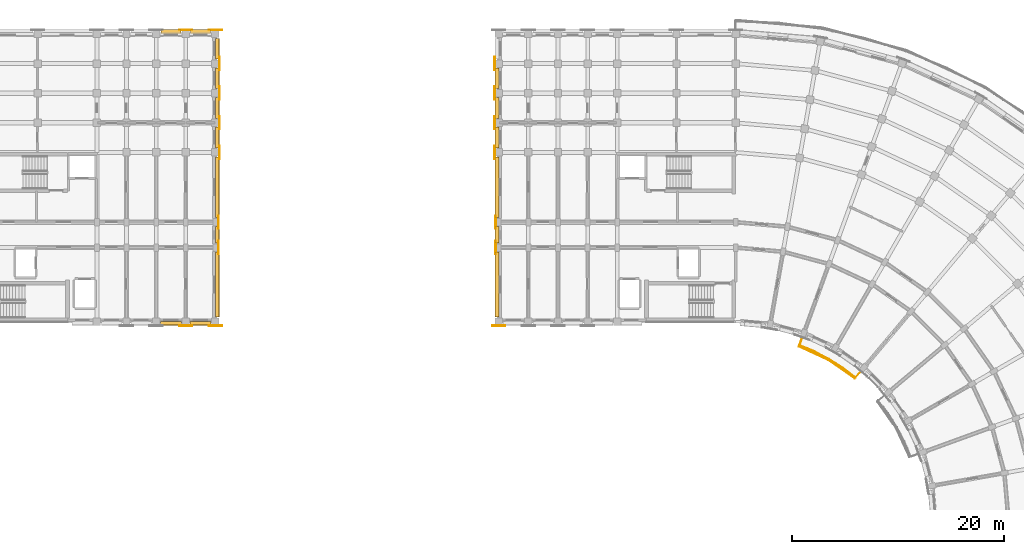
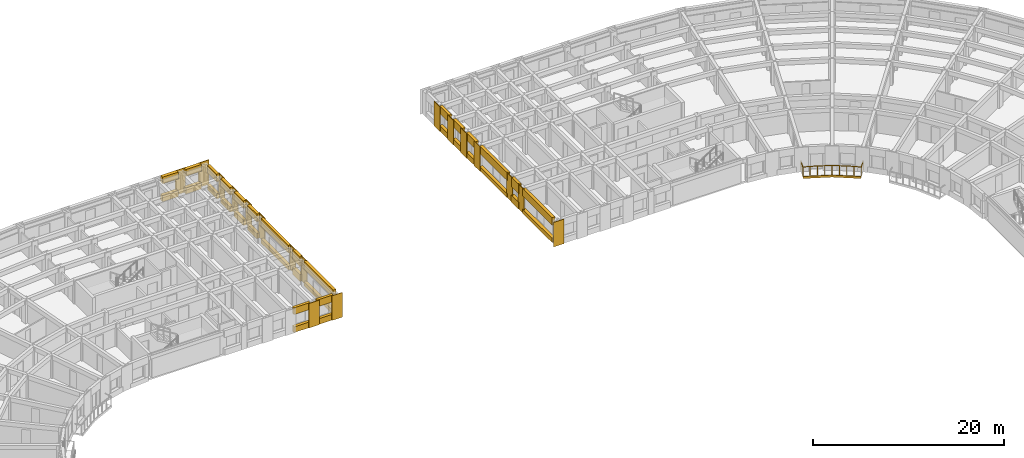
# One storey, part 51 of 57: 52 coverings, 1 railing.
"""IFC4 building model written with IfcOpenShell, lengths in metres."""

import ifcopenshell
import ifcopenshell.guid

model = None  # the IFC model being written
_history = None  # IfcOwnerHistory: only IFC2X3 demands one
_inside = {}  # id of a spatial element -> (the spatial element, [elements in it])
_under = {}  # id of a project, library or spatial element -> (it, [spatial elements below it])
_declared = {}  # id of a project -> (the project, [libraries it declares])
_typed = {}  # id of a type object -> (the type object, [elements of that type])
_made_of = {}  # id of a material, layer set ... -> (it, [elements and type objects made of it])


def new_model(schema):
    """Start an empty IFC model of exactly this schema.

    Asked for "IFC4X3", IfcOpenShell would pick the latest addendum, in which some entities
    have other attributes; the version numbers below select the first issue.
    IFC2X3 requires an IfcOwnerHistory on every rooted entity: one is made here for all.
    """
    global model, _history
    if schema == "IFC4X3":
        model = ifcopenshell.file(schema_version=(4, 3, 0, 0))
    else:
        model = ifcopenshell.file(schema=schema)
    _inside.clear()
    _under.clear()
    _declared.clear()
    _typed.clear()
    _made_of.clear()
    _history = None
    if model.schema == "IFC2X3":
        org = make("IfcOrganization", Name="unknown")
        user = make(
            "IfcPersonAndOrganization",
            ThePerson=make("IfcPerson", FamilyName="unknown"),
            TheOrganization=org,
        )
        app = make(
            "IfcApplication",
            ApplicationDeveloper=org,
            Version="unknown",
            ApplicationFullName="unknown",
            ApplicationIdentifier="unknown",
        )
        _history = make(
            "IfcOwnerHistory",
            OwningUser=user,
            OwningApplication=app,
            ChangeAction="ADDED",
            CreationDate=0,
        )
    return model


def make(cls, **values):
    """One entity of the class cls with the attributes given. An attribute that is None is left unset."""
    return model.create_entity(
        cls, **{name: value for name, value in values.items() if value is not None}
    )


def rooted(cls, **values):
    """An entity with a GlobalId (a new one), such as an element, a storey or a relation."""
    return make(cls, GlobalId=ifcopenshell.guid.new(), OwnerHistory=_history, **values)


def si_unit(unit_type, name, prefix=None):
    """IfcSIUnit, for example si_unit("LENGTHUNIT", "METRE", prefix="MILLI")."""
    return make("IfcSIUnit", UnitType=unit_type, Prefix=prefix, Name=name)


def assignment(units):
    """IfcUnitAssignment: the units of a project."""
    return None if units is None else make("IfcUnitAssignment", Units=units)


def point(xyz):
    """IfcCartesianPoint."""
    return None if xyz is None else make("IfcCartesianPoint", Coordinates=xyz)


def direction(xyz):
    """IfcDirection."""
    return None if xyz is None else make("IfcDirection", DirectionRatios=xyz)


def frame(location, z_axis=None, x_axis=None):
    """IfcAxis2Placement3D, a coordinate frame: its origin and axes. An axis left out is left unset."""
    return make(
        "IfcAxis2Placement3D",
        Location=point(location),
        Axis=direction(z_axis),
        RefDirection=direction(x_axis),
    )


def frame_2d(location, x_axis=None):
    """IfcAxis2Placement2D, a coordinate frame in the plane: its origin and x axis."""
    return make(
        "IfcAxis2Placement2D", Location=point(location), RefDirection=direction(x_axis)
    )


def origin():
    """The frame at (0, 0, 0) with its axes left unset."""
    return frame((0.0, 0.0, 0.0))


def origin_2d():
    """The frame at (0, 0) in the plane with its x axis left unset."""
    return frame_2d((0.0, 0.0))


def place(relative_to, where):
    """IfcLocalPlacement: puts the frame where relative to a parent placement (None: the world)."""
    return make(
        "IfcLocalPlacement", PlacementRelTo=relative_to, RelativePlacement=where
    )


def context(
    kind, dimensions, precision=None, world=None, true_north=None, identifier=None
):
    """IfcGeometricRepresentationContext, for example the 3D "Model" context."""
    return make(
        "IfcGeometricRepresentationContext",
        ContextIdentifier=identifier,
        ContextType=kind,
        CoordinateSpaceDimension=dimensions,
        Precision=precision,
        WorldCoordinateSystem=world,
        TrueNorth=true_north,
    )


def subcontext(parent, identifier, kind, view, scale=None):
    """IfcGeometricRepresentationSubContext, for example "Body" below "Model"."""
    return make(
        "IfcGeometricRepresentationSubContext",
        ContextIdentifier=identifier,
        ContextType=kind,
        ParentContext=parent,
        TargetScale=scale,
        TargetView=view,
    )


def project(units=None, contexts=None):
    """IfcProject with its units and contexts."""
    return rooted(
        "IfcProject",
        Name="project",
        RepresentationContexts=contexts,
        UnitsInContext=assignment(units),
    )


def spatial(cls, under=None, at=None, **own):
    """A site, building, storey or space (cls), placed at a placement, below another one or the project."""
    s = rooted(cls, ObjectPlacement=at, **own)
    if under is not None:
        _under.setdefault(under.id(), (under, []))[1].append(s)
    return s


def polyline(points):
    """IfcPolyline through the points."""
    return make("IfcPolyline", Points=[point(p) for p in points])


def profile(cls, at=None, kind="AREA", **sizes):
    """A parametric profile (cls). Its sizes go by their IFC names, for example OverallWidth=200.0."""
    return make(cls, ProfileType=kind, Position=at, **sizes)


def circle(**sizes):
    """IfcCircleProfileDef."""
    return profile("IfcCircleProfileDef", **sizes)


def outline(outer, holes=None, kind="AREA"):
    """IfcArbitraryClosedProfileDef: a profile drawn as a closed curve; with holes, ...WithVoids."""
    if holes is None:
        return make("IfcArbitraryClosedProfileDef", ProfileType=kind, OuterCurve=outer)
    return make(
        "IfcArbitraryProfileDefWithVoids",
        ProfileType=kind,
        OuterCurve=outer,
        InnerCurves=holes,
    )


def extrude(swept, where, along, depth):
    """IfcExtrudedAreaSolid: the profile swept, set in the frame where, extruded along a direction by depth."""
    return make(
        "IfcExtrudedAreaSolid",
        SweptArea=swept,
        Position=where,
        ExtrudedDirection=direction(along),
        Depth=depth,
    )


def shape(context_of_items, identifier, shape_type, items):
    """IfcShapeRepresentation: the items that make up one representation, for example the "Body"."""
    return make(
        "IfcShapeRepresentation",
        ContextOfItems=context_of_items,
        RepresentationIdentifier=identifier,
        RepresentationType=shape_type,
        Items=items,
    )


def material(Name=None, Category=None):
    """IfcMaterial."""
    return make("IfcMaterial", Name=Name, Category=Category)


def layer(
    of_material, thickness, ventilated=None, Name=None, Category=None, Priority=None
):
    """IfcMaterialLayer: one layer of a wall or slab, of a material (None: an air gap)."""
    return make(
        "IfcMaterialLayer",
        Material=of_material,
        LayerThickness=thickness,
        IsVentilated=ventilated,
        Name=Name,
        Category=Category,
        Priority=Priority,
    )


def layer_set(layers, Name=None):
    """IfcMaterialLayerSet."""
    return make("IfcMaterialLayerSet", MaterialLayers=layers, LayerSetName=Name)


def made_of(thing, what):
    """Note that an element or type object is made of a material, layer set ...; save() writes the relation."""
    if what is not None:
        _made_of.setdefault(what.id(), (what, []))[1].append(thing)
    return thing


def type_object(cls, material=None, **own):
    """A type object (cls), such as IfcWallType, which elements share."""
    return made_of(rooted(cls, **own), material)


def element(
    cls,
    number,
    at=None,
    inside=None,
    cuts=None,
    type_object=None,
    material=None,
    context=None,
    identifier="Body",
    shape_type=None,
    held_by="IfcProductDefinitionShape",
    body=None,
    shapes=None,
    **own,
):
    """One element of the class cls, such as IfcWall. Its Tag is "e" and its number.

    at: its placement. inside: the storey or other place that contains it. cuts: it is an
    opening in that element (IfcRelVoidsElement). A single representation is given by context,
    identifier, shape_type and body (its items); several are given by shapes. held_by: the class
    of the entity that holds the representations. save() writes the other relations.
    """
    e = rooted(cls, Tag="e%d" % number, ObjectPlacement=at, **own)
    if body is not None:
        shapes = [shape(context, identifier, shape_type, body)]
    if shapes is not None:
        e.Representation = make(held_by, Representations=shapes)
    if inside is not None:
        _inside.setdefault(inside.id(), (inside, []))[1].append(e)
    if cuts is not None:
        rooted(
            "IfcRelVoidsElement", RelatingBuildingElement=cuts, RelatedOpeningElement=e
        )
    if type_object is not None:
        _typed.setdefault(type_object.id(), (type_object, []))[1].append(e)
    return made_of(e, material)


def aggregate(whole, parts):
    """IfcRelAggregates: a whole, such as a stair, and the parts it consists of."""
    return rooted("IfcRelAggregates", RelatingObject=whole, RelatedObjects=parts)


def save(model, path):
    """Write the relations noted so far, then the file.

    IfcRelAggregates (storeys below a building ...), IfcRelContainedInSpatialStructure (elements
    in a storey), IfcRelDefinesByType, IfcRelAssociatesMaterial and IfcRelDeclares: one each for
    every whole, place, type object, material and project.
    """
    for whole, parts in _under.values():
        aggregate(whole, parts)
    for where, things in _inside.values():
        rooted(
            "IfcRelContainedInSpatialStructure",
            RelatedElements=things,
            RelatingStructure=where,
        )
    for kind, things in _typed.values():
        rooted("IfcRelDefinesByType", RelatedObjects=things, RelatingType=kind)
    for what, things in _made_of.values():
        rooted("IfcRelAssociatesMaterial", RelatedObjects=things, RelatingMaterial=what)
    for by, libraries in _declared.values():
        rooted("IfcRelDeclares", RelatingContext=by, RelatedDefinitions=libraries)
    model.write(path)


model = new_model("IFC4")

# Units and contexts
model_context = context("Model", 3, precision=1e-05, world=origin(), true_north=direction((0.0, 1.0)))
body_context = subcontext(model_context, "Body", "Model", "MODEL_VIEW")
ifc_project = project(units=[si_unit("LENGTHUNIT", "METRE"), si_unit("AREAUNIT", "SQUARE_METRE"), si_unit("VOLUMEUNIT", "CUBIC_METRE"), si_unit("PLANEANGLEUNIT", "RADIAN"), si_unit("MASSUNIT", "GRAM", prefix="KILO")], contexts=[model_context])

# Site, building, storey
site_placement = place(None, origin())
site = spatial("IfcSite", under=ifc_project, at=site_placement, CompositionType="ELEMENT")
building_placement = place(site_placement, origin())
building = spatial("IfcBuilding", under=site, at=building_placement, Name="Kiranvali Square Residences", CompositionType="ELEMENT")
storey_placement = place(building_placement, frame((0.0, 0.0, 24.449951171875)))
storey = spatial("IfcBuildingStorey", under=building, at=storey_placement, Name="L07", CompositionType="ELEMENT", Elevation=24.449951171875)

# Coverings
ifc_material_1 = material(Name="Carved Porbandar limestone classical entablature and cornice", Category="masonry")
ifc_layer_1 = layer(ifc_material_1, 0.06201171875)
ifc_layer_set_1 = layer_set([ifc_layer_1], Name="Carved Porbandar limestone classical entablature and cornice")
covering_type_1 = type_object("IfcCoveringType", Name="COV-CLAD-GBAL", PredefinedType="CLADDING", material=ifc_layer_set_1)
covering_1_placement = place(storey_placement, frame((0.0, 0.0, -0.219970703125)))
element("IfcCovering", 1, at=covering_1_placement, inside=storey, type_object=covering_type_1, Name="Block B L07 garden balcony limestone fascia 1", PredefinedType="CLADDING", context=body_context, shape_type="SweptSolid", body=[
    extrude(outline(polyline([(125.778564453125, 104.225830078125), (128.5400390625, 102.938232421875), (131.035888671875, 101.1904296875), (131.07958984375, 101.242431640625), (128.573974609375, 102.9970703125), (125.8017578125, 104.289794921875), (125.778564453125, 104.225830078125)])), origin(), (0.0, 0.0, 1.0), 0.27001953125),
])
ifc_material_2 = material(Name="Honed Porbandar limestone ashlar facade cladding", Category="masonry")
ifc_layer_2 = layer(ifc_material_2, 0.06494140625)
ifc_layer_set_2 = layer_set([ifc_layer_2], Name="Honed Porbandar limestone ashlar facade cladding")
covering_type_2 = type_object("IfcCoveringType", Name="COV-CLAD-PIER", PredefinedType="CLADDING", material=ifc_layer_set_2)
covering_2_placement = place(storey_placement, frame((0.0, 0.0, 0.005126953125)))
element("IfcCovering", 2, at=covering_2_placement, inside=storey, type_object=covering_type_2, Name="L07 Classical limestone pilaster casing CLAD-PR-A-L07-U195", PredefinedType="CLADDING", context=body_context, shape_type="SweptSolid", body=[
    extrude(outline(polyline([(67.169921875, 134.150390625), (68.429931640625, 134.150390625), (68.429931640625, 134.218017578125), (67.169921875, 134.218017578125), (67.169921875, 134.150390625)])), origin(), (0.0, 0.0, 1.0), 3.139892578125),
])
covering_3_placement = place(storey_placement, frame((0.0, 0.0, 0.005126953125)))
element("IfcCovering", 3, at=covering_3_placement, inside=storey, type_object=covering_type_2, Name="L07 Classical limestone pilaster casing CLAD-PR-A-L07-U224", PredefinedType="CLADDING", context=body_context, shape_type="SweptSolid", body=[
    extrude(outline(polyline([(69.969970703125, 134.150390625), (71.22998046875, 134.150390625), (71.22998046875, 134.218017578125), (69.969970703125, 134.218017578125), (69.969970703125, 134.150390625)])), origin(), (0.0, 0.0, 1.0), 3.139892578125),
])
ifc_layer_3 = layer(ifc_material_2, 0.050048828125)
ifc_layer_set_3 = layer_set([ifc_layer_3], Name="Honed Porbandar limestone ashlar facade cladding")
covering_type_3 = type_object("IfcCoveringType", Name="COV-CLAD-PIER-IN", PredefinedType="CLADDING", material=ifc_layer_set_3)
covering_4_placement = place(storey_placement, frame((0.0, 0.0, 0.005126953125)))
element("IfcCovering", 4, at=covering_4_placement, inside=storey, type_object=covering_type_3, Name="L07 Classical limestone pilaster casing CLAD-PRA1I-A-L07-U195", PredefinedType="CLADDING", context=body_context, shape_type="SweptSolid", body=[
    extrude(outline(polyline([(67.169921875, 106.181884765625), (68.429931640625, 106.181884765625), (68.429931640625, 106.24951171875), (67.169921875, 106.24951171875), (67.169921875, 106.181884765625)])), origin(), (0.0, 0.0, 1.0), 3.139892578125),
])
covering_5_placement = place(storey_placement, frame((0.0, 0.0, 0.005126953125)))
element("IfcCovering", 5, at=covering_5_placement, inside=storey, type_object=covering_type_3, Name="L07 Classical limestone pilaster casing CLAD-PRA1I-A-L07-U224", PredefinedType="CLADDING", context=body_context, shape_type="SweptSolid", body=[
    extrude(outline(polyline([(69.969970703125, 106.181884765625), (71.22998046875, 106.181884765625), (71.22998046875, 106.24951171875), (69.969970703125, 106.24951171875), (69.969970703125, 106.181884765625)])), origin(), (0.0, 0.0, 1.0), 3.139892578125),
])
covering_6_placement = place(storey_placement, frame((0.0, 0.0, 0.005126953125)))
element("IfcCovering", 6, at=covering_6_placement, inside=storey, type_object=covering_type_3, Name="L07 Classical limestone pilaster casing CLAD-PRA1I-B-L07-U224", PredefinedType="CLADDING", context=body_context, shape_type="SweptSolid", body=[
    extrude(outline(polyline([(98.030029296875, 106.24951171875), (96.77001953125, 106.24951171875), (96.77001953125, 106.181884765625), (98.030029296875, 106.181884765625), (98.030029296875, 106.24951171875)])), origin(), (0.0, 0.0, 1.0), 3.139892578125),
])
ifc_layer_4 = layer(ifc_material_2, 0.054931640625)
ifc_layer_set_4 = layer_set([ifc_layer_4], Name="Honed Porbandar limestone ashlar facade cladding")
covering_type_4 = type_object("IfcCoveringType", Name="COV-CLAD-PIER-UP", PredefinedType="CLADDING", material=ifc_layer_set_4)
covering_7_placement = place(storey_placement, frame((0.0, 0.0, 0.005126953125)))
element("IfcCovering", 7, at=covering_7_placement, inside=storey, type_object=covering_type_4, Name="L07 Classical limestone pilaster casing CLAD-PRA1E-A-L07-R258", PredefinedType="CLADDING", context=body_context, shape_type="SweptSolid", body=[
    extrude(outline(polyline([(70.91796875, 112.969970703125), (70.91796875, 114.22998046875), (70.8505859375, 114.22998046875), (70.8505859375, 112.969970703125), (70.91796875, 112.969970703125)])), origin(), (0.0, 0.0, 1.0), 3.139892578125),
])
covering_8_placement = place(storey_placement, frame((0.0, 0.0, 0.005126953125)))
element("IfcCovering", 8, at=covering_8_placement, inside=storey, type_object=covering_type_4, Name="L07 Classical limestone pilaster casing CLAD-PRA1E-A-L07-R282", PredefinedType="CLADDING", context=body_context, shape_type="SweptSolid", body=[
    extrude(outline(polyline([(70.91796875, 115.3701171875), (70.91796875, 116.6298828125), (70.8505859375, 116.6298828125), (70.8505859375, 115.3701171875), (70.91796875, 115.3701171875)])), origin(), (0.0, 0.0, 1.0), 3.139892578125),
])
covering_9_placement = place(storey_placement, frame((0.0, 0.0, 0.005126953125)))
element("IfcCovering", 9, at=covering_9_placement, inside=storey, type_object=covering_type_4, Name="L07 Classical limestone pilaster casing CLAD-PRA1E-A-L07-R348", PredefinedType="CLADDING", context=body_context, shape_type="SweptSolid", body=[
    extrude(outline(polyline([(71.01806640625, 121.969970703125), (71.01806640625, 123.22998046875), (70.950439453125, 123.22998046875), (70.950439453125, 121.969970703125), (71.01806640625, 121.969970703125)])), origin(), (0.0, 0.0, 1.0), 3.139892578125),
])
covering_10_placement = place(storey_placement, frame((0.0, 0.0, 0.005126953125)))
element("IfcCovering", 10, at=covering_10_placement, inside=storey, type_object=covering_type_4, Name="L07 Classical limestone pilaster casing CLAD-PRA1E-A-L07-R376", PredefinedType="CLADDING", context=body_context, shape_type="SweptSolid", body=[
    extrude(outline(polyline([(71.01806640625, 124.77001953125), (71.01806640625, 126.030029296875), (70.950439453125, 126.030029296875), (70.950439453125, 124.77001953125), (71.01806640625, 124.77001953125)])), origin(), (0.0, 0.0, 1.0), 3.139892578125),
])
covering_11_placement = place(storey_placement, frame((0.0, 0.0, 0.005126953125)))
element("IfcCovering", 11, at=covering_11_placement, inside=storey, type_object=covering_type_4, Name="L07 Classical limestone pilaster casing CLAD-PRA1E-A-L07-R404", PredefinedType="CLADDING", context=body_context, shape_type="SweptSolid", body=[
    extrude(outline(polyline([(71.01806640625, 127.570068359375), (71.01806640625, 128.830078125), (70.950439453125, 128.830078125), (70.950439453125, 127.570068359375), (71.01806640625, 127.570068359375)])), origin(), (0.0, 0.0, 1.0), 3.139892578125),
])
covering_12_placement = place(storey_placement, frame((0.0, 0.0, 0.005126953125)))
element("IfcCovering", 12, at=covering_12_placement, inside=storey, type_object=covering_type_4, Name="L07 Classical limestone pilaster casing CLAD-PRA1E-A-L07-R432", PredefinedType="CLADDING", context=body_context, shape_type="SweptSolid", body=[
    extrude(outline(polyline([(71.01806640625, 130.3701171875), (71.01806640625, 131.6298828125), (70.950439453125, 131.6298828125), (70.950439453125, 130.3701171875), (71.01806640625, 130.3701171875)])), origin(), (0.0, 0.0, 1.0), 3.139892578125),
])
covering_13_placement = place(storey_placement, frame((0.0, 0.0, 0.005126953125)))
element("IfcCovering", 13, at=covering_13_placement, inside=storey, type_object=covering_type_4, Name="L07 Classical limestone pilaster casing CLAD-PRA1E-B-L07-R258", PredefinedType="CLADDING", context=body_context, shape_type="SweptSolid", body=[
    extrude(outline(polyline([(97.1494140625, 112.969970703125), (97.1494140625, 114.22998046875), (97.08203125, 114.22998046875), (97.08203125, 112.969970703125), (97.1494140625, 112.969970703125)])), origin(), (0.0, 0.0, 1.0), 3.139892578125),
])
covering_14_placement = place(storey_placement, frame((0.0, 0.0, 0.005126953125)))
element("IfcCovering", 14, at=covering_14_placement, inside=storey, type_object=covering_type_4, Name="L07 Classical limestone pilaster casing CLAD-PRA1E-B-L07-R282", PredefinedType="CLADDING", context=body_context, shape_type="SweptSolid", body=[
    extrude(outline(polyline([(97.1494140625, 115.3701171875), (97.1494140625, 116.6298828125), (97.08203125, 116.6298828125), (97.08203125, 115.3701171875), (97.1494140625, 115.3701171875)])), origin(), (0.0, 0.0, 1.0), 3.139892578125),
])
covering_15_placement = place(storey_placement, frame((0.0, 0.0, 0.005126953125)))
element("IfcCovering", 15, at=covering_15_placement, inside=storey, type_object=covering_type_4, Name="L07 Classical limestone pilaster casing CLAD-PRA1E-B-L07-R348", PredefinedType="CLADDING", context=body_context, shape_type="SweptSolid", body=[
    extrude(outline(polyline([(97.049560546875, 121.969970703125), (97.049560546875, 123.22998046875), (96.98193359375, 123.22998046875), (96.98193359375, 121.969970703125), (97.049560546875, 121.969970703125)])), origin(), (0.0, 0.0, 1.0), 3.139892578125),
])
covering_16_placement = place(storey_placement, frame((0.0, 0.0, 0.005126953125)))
element("IfcCovering", 16, at=covering_16_placement, inside=storey, type_object=covering_type_4, Name="L07 Classical limestone pilaster casing CLAD-PRA1E-B-L07-R376", PredefinedType="CLADDING", context=body_context, shape_type="SweptSolid", body=[
    extrude(outline(polyline([(97.049560546875, 124.77001953125), (97.049560546875, 126.030029296875), (96.98193359375, 126.030029296875), (96.98193359375, 124.77001953125), (97.049560546875, 124.77001953125)])), origin(), (0.0, 0.0, 1.0), 3.139892578125),
])
covering_17_placement = place(storey_placement, frame((0.0, 0.0, 0.005126953125)))
element("IfcCovering", 17, at=covering_17_placement, inside=storey, type_object=covering_type_4, Name="L07 Classical limestone pilaster casing CLAD-PRA1E-B-L07-R404", PredefinedType="CLADDING", context=body_context, shape_type="SweptSolid", body=[
    extrude(outline(polyline([(97.049560546875, 127.570068359375), (97.049560546875, 128.830078125), (96.98193359375, 128.830078125), (96.98193359375, 127.570068359375), (97.049560546875, 127.570068359375)])), origin(), (0.0, 0.0, 1.0), 3.139892578125),
])
covering_18_placement = place(storey_placement, frame((0.0, 0.0, 0.005126953125)))
element("IfcCovering", 18, at=covering_18_placement, inside=storey, type_object=covering_type_4, Name="L07 Classical limestone pilaster casing CLAD-PRA1E-B-L07-R432", PredefinedType="CLADDING", context=body_context, shape_type="SweptSolid", body=[
    extrude(outline(polyline([(97.049560546875, 130.3701171875), (97.049560546875, 131.6298828125), (96.98193359375, 131.6298828125), (96.98193359375, 130.3701171875), (97.049560546875, 130.3701171875)])), origin(), (0.0, 0.0, 1.0), 3.139892578125),
])
ifc_layer_5 = layer(ifc_material_2, 0.360107421875)
ifc_layer_set_5 = layer_set([ifc_layer_5], Name="Honed Porbandar limestone ashlar facade cladding")
covering_type_5 = type_object("IfcCoveringType", Name="COV-CLAD-WALL", PredefinedType="CLADDING", material=ifc_layer_set_5)
covering_19_placement = place(storey_placement, frame((0.0, 0.0, 2.27197265625)))
element("IfcCovering", 19, at=covering_19_placement, inside=storey, type_object=covering_type_5, Name="L07 light limestone spandrel lintel A-L07-A1O-4", PredefinedType="CLADDING", context=body_context, shape_type="SweptSolid", body=[
    extrude(outline(polyline([(65.43994140625, 133.800537109375), (67.360107421875, 133.800537109375), (67.360107421875, 134.199951171875), (65.43994140625, 134.199951171875), (65.43994140625, 133.800537109375)])), origin(), (0.0, 0.0, 1.0), 0.873046875),
])
covering_20_placement = place(storey_placement, frame((0.0, 0.0, 0.005126953125)))
element("IfcCovering", 20, at=covering_20_placement, inside=storey, type_object=covering_type_5, Name="L07 limestone window sill apron A-L07-A1O-4", PredefinedType="CLADDING", context=body_context, shape_type="SweptSolid", body=[
    extrude(outline(polyline([(65.43994140625, 133.800537109375), (67.360107421875, 133.800537109375), (67.360107421875, 134.22998046875), (65.43994140625, 134.22998046875), (65.43994140625, 133.800537109375)])), origin(), (0.0, 0.0, 1.0), 0.766845703125),
])
covering_21_placement = place(storey_placement, frame((0.0, 0.0, 2.27197265625)))
element("IfcCovering", 21, at=covering_21_placement, inside=storey, type_object=covering_type_5, Name="L07 light limestone spandrel lintel A-L07-A1O-5", PredefinedType="CLADDING", context=body_context, shape_type="SweptSolid", body=[
    extrude(outline(polyline([(68.239990234375, 133.800537109375), (70.159912109375, 133.800537109375), (70.159912109375, 134.199951171875), (68.239990234375, 134.199951171875), (68.239990234375, 133.800537109375)])), origin(), (0.0, 0.0, 1.0), 0.873046875),
])
covering_22_placement = place(storey_placement, frame((0.0, 0.0, 0.005126953125)))
element("IfcCovering", 22, at=covering_22_placement, inside=storey, type_object=covering_type_5, Name="L07 limestone window sill apron A-L07-A1O-5", PredefinedType="CLADDING", context=body_context, shape_type="SweptSolid", body=[
    extrude(outline(polyline([(68.239990234375, 133.800537109375), (70.159912109375, 133.800537109375), (70.159912109375, 134.22998046875), (68.239990234375, 134.22998046875), (68.239990234375, 133.800537109375)])), origin(), (0.0, 0.0, 1.0), 0.766845703125),
])
covering_23_placement = place(storey_placement, frame((0.0, 0.0, 2.27197265625)))
element("IfcCovering", 23, at=covering_23_placement, inside=storey, type_object=covering_type_5, Name="L07 light limestone spandrel lintel A-L07-A1I-2", PredefinedType="CLADDING", context=body_context, shape_type="SweptSolid", body=[
    extrude(outline(polyline([(65.419921875, 106.280029296875), (67.3798828125, 106.280029296875), (67.3798828125, 106.599609375), (65.419921875, 106.599609375), (65.419921875, 106.280029296875)])), origin(), (0.0, 0.0, 1.0), 0.873046875),
])
covering_24_placement = place(storey_placement, frame((0.0, 0.0, 0.005126953125)))
element("IfcCovering", 24, at=covering_24_placement, inside=storey, type_object=covering_type_5, Name="L07 limestone window sill apron A-L07-A1I-2", PredefinedType="CLADDING", context=body_context, shape_type="SweptSolid", body=[
    extrude(outline(polyline([(65.419921875, 106.25), (67.3798828125, 106.25), (67.3798828125, 106.599609375), (65.419921875, 106.599609375), (65.419921875, 106.25)])), origin(), (0.0, 0.0, 1.0), 0.717041015625),
])
covering_25_placement = place(storey_placement, frame((0.0, 0.0, 2.27197265625)))
element("IfcCovering", 25, at=covering_25_placement, inside=storey, type_object=covering_type_5, Name="L07 light limestone spandrel lintel A-L07-A1I-3", PredefinedType="CLADDING", context=body_context, shape_type="SweptSolid", body=[
    extrude(outline(polyline([(68.219970703125, 106.280029296875), (70.179931640625, 106.280029296875), (70.179931640625, 106.599609375), (68.219970703125, 106.599609375), (68.219970703125, 106.280029296875)])), origin(), (0.0, 0.0, 1.0), 0.873046875),
])
covering_26_placement = place(storey_placement, frame((0.0, 0.0, 0.005126953125)))
element("IfcCovering", 26, at=covering_26_placement, inside=storey, type_object=covering_type_5, Name="L07 limestone window sill apron A-L07-A1I-3", PredefinedType="CLADDING", context=body_context, shape_type="SweptSolid", body=[
    extrude(outline(polyline([(68.219970703125, 106.25), (70.179931640625, 106.25), (70.179931640625, 106.599609375), (68.219970703125, 106.599609375), (68.219970703125, 106.25)])), origin(), (0.0, 0.0, 1.0), 0.717041015625),
])
covering_27_placement = place(storey_placement, frame((0.0, 0.0, 2.172119140625)))
element("IfcCovering", 27, at=covering_27_placement, inside=storey, type_object=covering_type_5, Name="L07 light limestone spandrel lintel A-L07-A1END-0", PredefinedType="CLADDING", context=body_context, shape_type="SweptSolid", body=[
    extrude(outline(polyline([(70.93994140625, 107.02001953125), (70.93994140625, 113.179931640625), (70.6005859375, 113.179931640625), (70.6005859375, 107.02001953125), (70.93994140625, 107.02001953125)])), origin(), (0.0, 0.0, 1.0), 0.972900390625),
])
covering_28_placement = place(storey_placement, frame((0.0, 0.0, 0.005126953125)))
element("IfcCovering", 28, at=covering_28_placement, inside=storey, type_object=covering_type_5, Name="L07 limestone window sill apron A-L07-A1END-0", PredefinedType="CLADDING", context=body_context, shape_type="SweptSolid", body=[
    extrude(outline(polyline([(70.969970703125, 107.02001953125), (70.969970703125, 113.179931640625), (70.6005859375, 113.179931640625), (70.6005859375, 107.02001953125), (70.969970703125, 107.02001953125)])), origin(), (0.0, 0.0, 1.0), 0.516845703125),
])
covering_29_placement = place(storey_placement, frame((0.0, 0.0, 1.929931640625)))
element("IfcCovering", 29, at=covering_29_placement, inside=storey, type_object=covering_type_5, Name="L07 light limestone spandrel lintel A-L07-A1END-1", PredefinedType="CLADDING", context=body_context, shape_type="SweptSolid", body=[
    extrude(outline(polyline([(70.93994140625, 114.02001953125), (70.93994140625, 115.580078125), (70.6005859375, 115.580078125), (70.6005859375, 114.02001953125), (70.93994140625, 114.02001953125)])), origin(), (0.0, 0.0, 1.0), 1.215087890625),
])
covering_30_placement = place(storey_placement, frame((0.0, 0.0, 0.005126953125)))
element("IfcCovering", 30, at=covering_30_placement, inside=storey, type_object=covering_type_5, Name="L07 limestone window sill apron A-L07-A1END-1", PredefinedType="CLADDING", context=body_context, shape_type="SweptSolid", body=[
    extrude(outline(polyline([(70.969970703125, 114.02001953125), (70.969970703125, 115.580078125), (70.6005859375, 115.580078125), (70.6005859375, 114.02001953125), (70.969970703125, 114.02001953125)])), origin(), (0.0, 0.0, 1.0), 0.875),
])
covering_31_placement = place(storey_placement, frame((0.0, 0.0, 2.172119140625)))
element("IfcCovering", 31, at=covering_31_placement, inside=storey, type_object=covering_type_5, Name="L07 light limestone spandrel lintel A-L07-A1END-2", PredefinedType="CLADDING", context=body_context, shape_type="SweptSolid", body=[
    extrude(outline(polyline([(70.93994140625, 116.419921875), (70.93994140625, 122.179931640625), (70.6005859375, 122.179931640625), (70.6005859375, 116.419921875), (70.93994140625, 116.419921875)])), origin(), (0.0, 0.0, 1.0), 0.972900390625),
])
covering_32_placement = place(storey_placement, frame((0.0, 0.0, 0.005126953125)))
element("IfcCovering", 32, at=covering_32_placement, inside=storey, type_object=covering_type_5, Name="L07 limestone window sill apron A-L07-A1END-2", PredefinedType="CLADDING", context=body_context, shape_type="SweptSolid", body=[
    extrude(outline(polyline([(70.969970703125, 116.419921875), (70.969970703125, 122.179931640625), (70.6005859375, 122.179931640625), (70.6005859375, 116.419921875), (70.969970703125, 116.419921875)])), origin(), (0.0, 0.0, 1.0), 0.516845703125),
])
covering_33_placement = place(storey_placement, frame((0.0, 0.0, 2.172119140625)))
element("IfcCovering", 33, at=covering_33_placement, inside=storey, type_object=covering_type_5, Name="L07 light limestone spandrel lintel A-L07-A1END-3", PredefinedType="CLADDING", context=body_context, shape_type="SweptSolid", body=[
    extrude(outline(polyline([(70.93994140625, 123.02001953125), (70.93994140625, 124.97998046875), (70.6005859375, 124.97998046875), (70.6005859375, 123.02001953125), (70.93994140625, 123.02001953125)])), origin(), (0.0, 0.0, 1.0), 0.972900390625),
])
covering_34_placement = place(storey_placement, frame((0.0, 0.0, 0.005126953125)))
element("IfcCovering", 34, at=covering_34_placement, inside=storey, type_object=covering_type_5, Name="L07 limestone window sill apron A-L07-A1END-3", PredefinedType="CLADDING", context=body_context, shape_type="SweptSolid", body=[
    extrude(outline(polyline([(70.969970703125, 123.02001953125), (70.969970703125, 124.97998046875), (70.6005859375, 124.97998046875), (70.6005859375, 123.02001953125), (70.969970703125, 123.02001953125)])), origin(), (0.0, 0.0, 1.0), 0.6669921875),
])
covering_35_placement = place(storey_placement, frame((0.0, 0.0, 2.172119140625)))
element("IfcCovering", 35, at=covering_35_placement, inside=storey, type_object=covering_type_5, Name="L07 light limestone spandrel lintel A-L07-A1END-4", PredefinedType="CLADDING", context=body_context, shape_type="SweptSolid", body=[
    extrude(outline(polyline([(70.93994140625, 125.820068359375), (70.93994140625, 127.780029296875), (70.6005859375, 127.780029296875), (70.6005859375, 125.820068359375), (70.93994140625, 125.820068359375)])), origin(), (0.0, 0.0, 1.0), 0.972900390625),
])
covering_36_placement = place(storey_placement, frame((0.0, 0.0, 0.005126953125)))
element("IfcCovering", 36, at=covering_36_placement, inside=storey, type_object=covering_type_5, Name="L07 limestone window sill apron A-L07-A1END-4", PredefinedType="CLADDING", context=body_context, shape_type="SweptSolid", body=[
    extrude(outline(polyline([(70.969970703125, 125.820068359375), (70.969970703125, 127.780029296875), (70.6005859375, 127.780029296875), (70.6005859375, 125.820068359375), (70.969970703125, 125.820068359375)])), origin(), (0.0, 0.0, 1.0), 0.6669921875),
])
covering_37_placement = place(storey_placement, frame((0.0, 0.0, 2.172119140625)))
element("IfcCovering", 37, at=covering_37_placement, inside=storey, type_object=covering_type_5, Name="L07 light limestone spandrel lintel A-L07-A1END-5", PredefinedType="CLADDING", context=body_context, shape_type="SweptSolid", body=[
    extrude(outline(polyline([(70.93994140625, 128.6201171875), (70.93994140625, 130.580078125), (70.6005859375, 130.580078125), (70.6005859375, 128.6201171875), (70.93994140625, 128.6201171875)])), origin(), (0.0, 0.0, 1.0), 0.972900390625),
])
covering_38_placement = place(storey_placement, frame((0.0, 0.0, 0.005126953125)))
element("IfcCovering", 38, at=covering_38_placement, inside=storey, type_object=covering_type_5, Name="L07 limestone window sill apron A-L07-A1END-5", PredefinedType="CLADDING", context=body_context, shape_type="SweptSolid", body=[
    extrude(outline(polyline([(70.969970703125, 128.6201171875), (70.969970703125, 130.580078125), (70.6005859375, 130.580078125), (70.6005859375, 128.6201171875), (70.969970703125, 128.6201171875)])), origin(), (0.0, 0.0, 1.0), 0.6669921875),
])
covering_39_placement = place(storey_placement, frame((0.0, 0.0, 2.172119140625)))
element("IfcCovering", 39, at=covering_39_placement, inside=storey, type_object=covering_type_5, Name="L07 light limestone spandrel lintel A-L07-A1END-6", PredefinedType="CLADDING", context=body_context, shape_type="SweptSolid", body=[
    extrude(outline(polyline([(70.93994140625, 131.419921875), (70.93994140625, 133.3798828125), (70.6005859375, 133.3798828125), (70.6005859375, 131.419921875), (70.93994140625, 131.419921875)])), origin(), (0.0, 0.0, 1.0), 0.972900390625),
])
covering_40_placement = place(storey_placement, frame((0.0, 0.0, 0.005126953125)))
element("IfcCovering", 40, at=covering_40_placement, inside=storey, type_object=covering_type_5, Name="L07 limestone window sill apron A-L07-A1END-6", PredefinedType="CLADDING", context=body_context, shape_type="SweptSolid", body=[
    extrude(outline(polyline([(70.969970703125, 131.419921875), (70.969970703125, 133.3798828125), (70.6005859375, 133.3798828125), (70.6005859375, 131.419921875), (70.969970703125, 131.419921875)])), origin(), (0.0, 0.0, 1.0), 0.6669921875),
])
covering_41_placement = place(storey_placement, frame((0.0, 0.0, 2.172119140625)))
element("IfcCovering", 41, at=covering_41_placement, inside=storey, type_object=covering_type_5, Name="L07 light limestone spandrel lintel B-L07-A1END-0", PredefinedType="CLADDING", context=body_context, shape_type="SweptSolid", body=[
    extrude(outline(polyline([(97.3994140625, 107.02001953125), (97.3994140625, 113.179931640625), (97.06005859375, 113.179931640625), (97.06005859375, 107.02001953125), (97.3994140625, 107.02001953125)])), origin(), (0.0, 0.0, 1.0), 0.972900390625),
])
covering_42_placement = place(storey_placement, frame((0.0, 0.0, 0.005126953125)))
element("IfcCovering", 42, at=covering_42_placement, inside=storey, type_object=covering_type_5, Name="L07 limestone window sill apron B-L07-A1END-0", PredefinedType="CLADDING", context=body_context, shape_type="SweptSolid", body=[
    extrude(outline(polyline([(97.3994140625, 107.02001953125), (97.3994140625, 113.179931640625), (97.030029296875, 113.179931640625), (97.030029296875, 107.02001953125), (97.3994140625, 107.02001953125)])), origin(), (0.0, 0.0, 1.0), 0.516845703125),
])
covering_43_placement = place(storey_placement, frame((0.0, 0.0, 1.929931640625)))
element("IfcCovering", 43, at=covering_43_placement, inside=storey, type_object=covering_type_5, Name="L07 light limestone spandrel lintel B-L07-A1END-1", PredefinedType="CLADDING", context=body_context, shape_type="SweptSolid", body=[
    extrude(outline(polyline([(97.3994140625, 114.02001953125), (97.3994140625, 115.580078125), (97.06005859375, 115.580078125), (97.06005859375, 114.02001953125), (97.3994140625, 114.02001953125)])), origin(), (0.0, 0.0, 1.0), 1.215087890625),
])
covering_44_placement = place(storey_placement, frame((0.0, 0.0, 0.005126953125)))
element("IfcCovering", 44, at=covering_44_placement, inside=storey, type_object=covering_type_5, Name="L07 limestone window sill apron B-L07-A1END-1", PredefinedType="CLADDING", context=body_context, shape_type="SweptSolid", body=[
    extrude(outline(polyline([(97.3994140625, 114.02001953125), (97.3994140625, 115.580078125), (97.030029296875, 115.580078125), (97.030029296875, 114.02001953125), (97.3994140625, 114.02001953125)])), origin(), (0.0, 0.0, 1.0), 0.875),
])
covering_45_placement = place(storey_placement, frame((0.0, 0.0, 2.172119140625)))
element("IfcCovering", 45, at=covering_45_placement, inside=storey, type_object=covering_type_5, Name="L07 light limestone spandrel lintel B-L07-A1END-2", PredefinedType="CLADDING", context=body_context, shape_type="SweptSolid", body=[
    extrude(outline(polyline([(97.3994140625, 116.419921875), (97.3994140625, 122.179931640625), (97.06005859375, 122.179931640625), (97.06005859375, 116.419921875), (97.3994140625, 116.419921875)])), origin(), (0.0, 0.0, 1.0), 0.972900390625),
])
covering_46_placement = place(storey_placement, frame((0.0, 0.0, 0.005126953125)))
element("IfcCovering", 46, at=covering_46_placement, inside=storey, type_object=covering_type_5, Name="L07 limestone window sill apron B-L07-A1END-2", PredefinedType="CLADDING", context=body_context, shape_type="SweptSolid", body=[
    extrude(outline(polyline([(97.3994140625, 116.419921875), (97.3994140625, 122.179931640625), (97.030029296875, 122.179931640625), (97.030029296875, 116.419921875), (97.3994140625, 116.419921875)])), origin(), (0.0, 0.0, 1.0), 0.516845703125),
])
covering_47_placement = place(storey_placement, frame((0.0, 0.0, 2.172119140625)))
element("IfcCovering", 47, at=covering_47_placement, inside=storey, type_object=covering_type_5, Name="L07 light limestone spandrel lintel B-L07-A1END-3", PredefinedType="CLADDING", context=body_context, shape_type="SweptSolid", body=[
    extrude(outline(polyline([(97.3994140625, 123.02001953125), (97.3994140625, 124.97998046875), (97.06005859375, 124.97998046875), (97.06005859375, 123.02001953125), (97.3994140625, 123.02001953125)])), origin(), (0.0, 0.0, 1.0), 0.972900390625),
])
covering_48_placement = place(storey_placement, frame((0.0, 0.0, 0.005126953125)))
element("IfcCovering", 48, at=covering_48_placement, inside=storey, type_object=covering_type_5, Name="L07 limestone window sill apron B-L07-A1END-3", PredefinedType="CLADDING", context=body_context, shape_type="SweptSolid", body=[
    extrude(outline(polyline([(97.3994140625, 123.02001953125), (97.3994140625, 124.97998046875), (97.030029296875, 124.97998046875), (97.030029296875, 123.02001953125), (97.3994140625, 123.02001953125)])), origin(), (0.0, 0.0, 1.0), 0.6669921875),
])
covering_49_placement = place(storey_placement, frame((0.0, 0.0, 2.172119140625)))
element("IfcCovering", 49, at=covering_49_placement, inside=storey, type_object=covering_type_5, Name="L07 light limestone spandrel lintel B-L07-A1END-4", PredefinedType="CLADDING", context=body_context, shape_type="SweptSolid", body=[
    extrude(outline(polyline([(97.3994140625, 125.820068359375), (97.3994140625, 127.780029296875), (97.06005859375, 127.780029296875), (97.06005859375, 125.820068359375), (97.3994140625, 125.820068359375)])), origin(), (0.0, 0.0, 1.0), 0.972900390625),
])
covering_50_placement = place(storey_placement, frame((0.0, 0.0, 0.005126953125)))
element("IfcCovering", 50, at=covering_50_placement, inside=storey, type_object=covering_type_5, Name="L07 limestone window sill apron B-L07-A1END-4", PredefinedType="CLADDING", context=body_context, shape_type="SweptSolid", body=[
    extrude(outline(polyline([(97.3994140625, 125.820068359375), (97.3994140625, 127.780029296875), (97.030029296875, 127.780029296875), (97.030029296875, 125.820068359375), (97.3994140625, 125.820068359375)])), origin(), (0.0, 0.0, 1.0), 0.6669921875),
])
covering_51_placement = place(storey_placement, frame((0.0, 0.0, 2.172119140625)))
element("IfcCovering", 51, at=covering_51_placement, inside=storey, type_object=covering_type_5, Name="L07 light limestone spandrel lintel B-L07-A1END-5", PredefinedType="CLADDING", context=body_context, shape_type="SweptSolid", body=[
    extrude(outline(polyline([(97.3994140625, 128.6201171875), (97.3994140625, 130.580078125), (97.06005859375, 130.580078125), (97.06005859375, 128.6201171875), (97.3994140625, 128.6201171875)])), origin(), (0.0, 0.0, 1.0), 0.972900390625),
])
covering_52_placement = place(storey_placement, frame((0.0, 0.0, 0.005126953125)))
element("IfcCovering", 52, at=covering_52_placement, inside=storey, type_object=covering_type_5, Name="L07 limestone window sill apron B-L07-A1END-5", PredefinedType="CLADDING", context=body_context, shape_type="SweptSolid", body=[
    extrude(outline(polyline([(97.3994140625, 128.6201171875), (97.3994140625, 130.580078125), (97.030029296875, 130.580078125), (97.030029296875, 128.6201171875), (97.3994140625, 128.6201171875)])), origin(), (0.0, 0.0, 1.0), 0.6669921875),
])

# Railing
ifc_material_3 = material(Name="Powder-coated architectural bronze balustrade", Category="steel")
railing_type = type_object("IfcRailingType", Name="RL-BAL-GOLD-1200", PredefinedType="BALUSTRADE", material=ifc_material_3)
railing_placement = place(storey_placement, frame((126.21630859375, 105.4287109375, 0.0)))
element("IfcRailing", 53, at=railing_placement, inside=storey, type_object=railing_type, Name="Block B L07 garden balcony gold balustrade 1", PredefinedType="BALUSTRADE", context=body_context, shape_type="SweptSolid", body=[
    extrude(circle(Radius=0.02392578125, at=origin_2d()), frame((0.0, 0.0, 1.17578125), z_axis=(-0.341964618562, -0.939712828289, 0.0), x_axis=(0.939712828289, -0.341964618562, 0.0)), (0.0, 0.0, 1.0), 1.150146484375),
    extrude(circle(Radius=0.02392578125, at=origin_2d()), frame((-0.393310546875, -1.080810546875, 1.17578125), z_axis=(0.923892883829, -0.382651197843, 0.0), x_axis=(0.382651197843, 0.923892883829, 0.0)), (0.0, 0.0, 1.0), 1.536376953125),
    extrude(circle(Radius=0.02392578125, at=origin_2d()), frame((1.026123046875, -1.668701171875, 1.17578125), z_axis=(0.887029366154, -0.461713009976, 0.0), x_axis=(0.461713009976, 0.887029366154, 0.0)), (0.0, 0.0, 1.0), 1.5361328125),
    extrude(circle(Radius=0.02392578125, at=origin_2d()), frame((2.388671875, -2.3779296875, 1.17578125), z_axis=(0.843386539688, -0.537307309343, 0.0), x_axis=(0.537307309343, 0.843386539688, 0.0)), (0.0, 0.0, 1.0), 1.5361328125),
    extrude(circle(Radius=0.02392578125, at=origin_2d()), frame((3.684326171875, -3.203369140625, 1.17578125), z_axis=(0.793314680996, -0.608811807471, 0.0), x_axis=(0.608811807471, 0.793314680996, 0.0)), (0.0, 0.0, 1.0), 1.536376953125),
    extrude(circle(Radius=0.02392578125, at=origin_2d()), frame((4.903076171875, -4.138671875, 1.17578125), z_axis=(0.642853454051, 0.765989188314, 0.0), x_axis=(-0.765989188314, 0.642853454051, 0.0)), (0.0, 0.0, 1.0), 1.14990234375),
    extrude(circle(Radius=0.02099609375, at=origin_2d()), origin(), (0.0, 0.0, 1.0), 1.15185546875),
    extrude(circle(Radius=0.02099609375, at=origin_2d()), frame((-0.393310546875, -1.080810546875, 0.0)), (0.0, 0.0, 1.0), 1.15185546875),
    extrude(circle(Radius=0.02099609375, at=origin_2d()), frame((0.31640625, -1.374755859375, 0.0)), (0.0, 0.0, 1.0), 1.15185546875),
    extrude(circle(Radius=0.02099609375, at=origin_2d()), frame((1.026123046875, -1.668701171875, 0.0)), (0.0, 0.0, 1.0), 1.15185546875),
    extrude(circle(Radius=0.02099609375, at=origin_2d()), frame((1.70751953125, -2.0234375, 0.0)), (0.0, 0.0, 1.0), 1.15185546875),
    extrude(circle(Radius=0.02099609375, at=origin_2d()), frame((2.388671875, -2.3779296875, 0.0)), (0.0, 0.0, 1.0), 1.15185546875),
    extrude(circle(Radius=0.02099609375, at=origin_2d()), frame((3.03662109375, -2.79052734375, 0.0)), (0.0, 0.0, 1.0), 1.15185546875),
    extrude(circle(Radius=0.02099609375, at=origin_2d()), frame((3.684326171875, -3.203369140625, 0.0)), (0.0, 0.0, 1.0), 1.15185546875),
    extrude(circle(Radius=0.02099609375, at=origin_2d()), frame((4.293701171875, -3.6708984375, 0.0)), (0.0, 0.0, 1.0), 1.15185546875),
    extrude(circle(Radius=0.02099609375, at=origin_2d()), frame((4.903076171875, -4.138671875, 0.0)), (0.0, 0.0, 1.0), 1.15185546875),
    extrude(circle(Radius=0.02099609375, at=origin_2d()), frame((5.642333984375, -3.2578125, 0.0)), (0.0, 0.0, 1.0), 1.15185546875),
])

save(model, "model.ifc")
